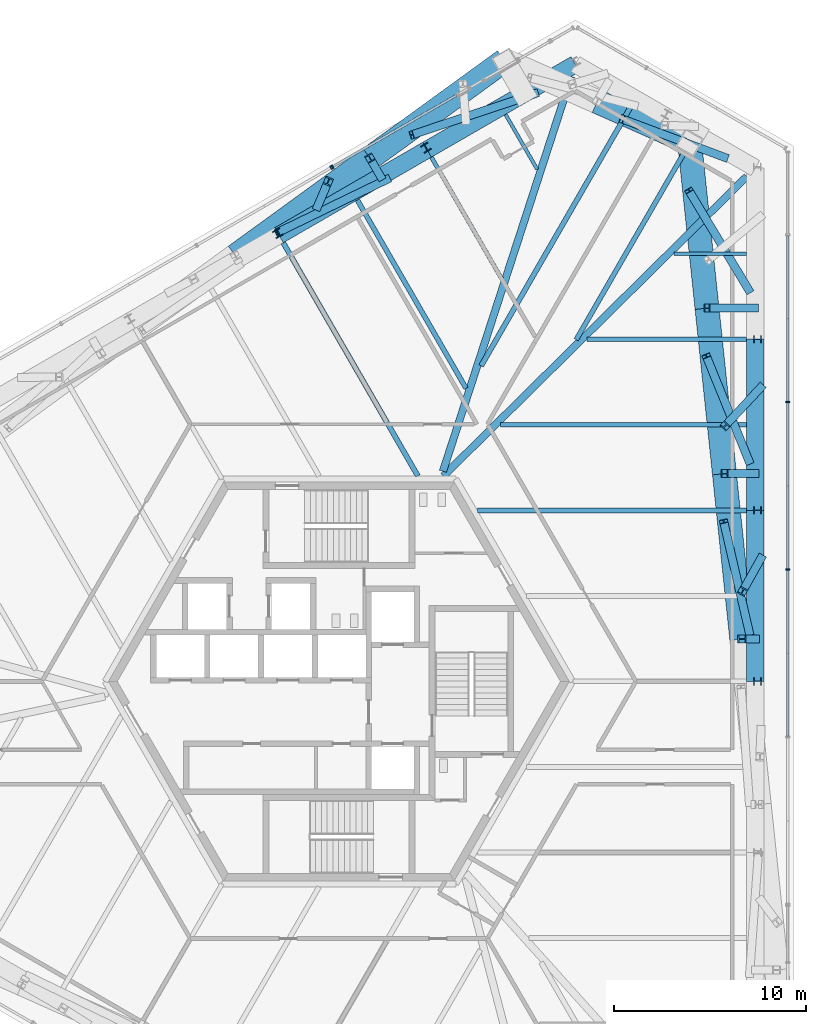
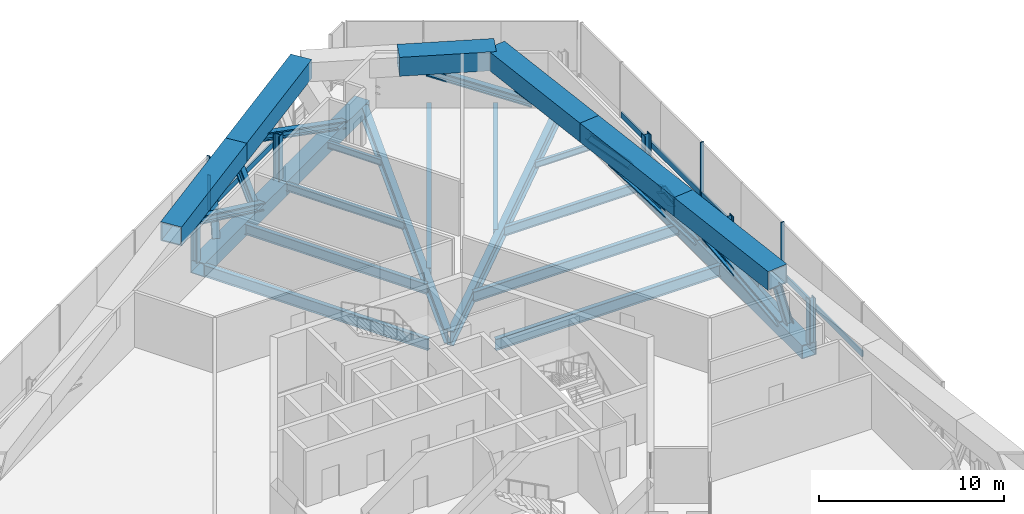
# One storey, part 7 of 23: 36 members, 12 beams, 3 elements without a shape of their own.
"""IFC4 building model written with IfcOpenShell, lengths in metres."""

import ifcopenshell
import ifcopenshell.guid

model = None  # the IFC model being written
_history = None  # IfcOwnerHistory: only IFC2X3 demands one
_inside = {}  # id of a spatial element -> (the spatial element, [elements in it])
_under = {}  # id of a project, library or spatial element -> (it, [spatial elements below it])
_declared = {}  # id of a project -> (the project, [libraries it declares])
_typed = {}  # id of a type object -> (the type object, [elements of that type])
_made_of = {}  # id of a material, layer set ... -> (it, [elements and type objects made of it])


def new_model(schema):
    """Start an empty IFC model of exactly this schema.

    Asked for "IFC4X3", IfcOpenShell would pick the latest addendum, in which some entities
    have other attributes; the version numbers below select the first issue.
    IFC2X3 requires an IfcOwnerHistory on every rooted entity: one is made here for all.
    """
    global model, _history
    if schema == "IFC4X3":
        model = ifcopenshell.file(schema_version=(4, 3, 0, 0))
    else:
        model = ifcopenshell.file(schema=schema)
    _inside.clear()
    _under.clear()
    _declared.clear()
    _typed.clear()
    _made_of.clear()
    _history = None
    if model.schema == "IFC2X3":
        org = make("IfcOrganization", Name="unknown")
        user = make(
            "IfcPersonAndOrganization",
            ThePerson=make("IfcPerson", FamilyName="unknown"),
            TheOrganization=org,
        )
        app = make(
            "IfcApplication",
            ApplicationDeveloper=org,
            Version="unknown",
            ApplicationFullName="unknown",
            ApplicationIdentifier="unknown",
        )
        _history = make(
            "IfcOwnerHistory",
            OwningUser=user,
            OwningApplication=app,
            ChangeAction="ADDED",
            CreationDate=0,
        )
    return model


def make(cls, **values):
    """One entity of the class cls with the attributes given. An attribute that is None is left unset."""
    return model.create_entity(
        cls, **{name: value for name, value in values.items() if value is not None}
    )


def rooted(cls, **values):
    """An entity with a GlobalId (a new one), such as an element, a storey or a relation."""
    return make(cls, GlobalId=ifcopenshell.guid.new(), OwnerHistory=_history, **values)


def si_unit(unit_type, name, prefix=None):
    """IfcSIUnit, for example si_unit("LENGTHUNIT", "METRE", prefix="MILLI")."""
    return make("IfcSIUnit", UnitType=unit_type, Prefix=prefix, Name=name)


def assignment(units):
    """IfcUnitAssignment: the units of a project."""
    return None if units is None else make("IfcUnitAssignment", Units=units)


def point(xyz):
    """IfcCartesianPoint."""
    return None if xyz is None else make("IfcCartesianPoint", Coordinates=xyz)


def direction(xyz):
    """IfcDirection."""
    return None if xyz is None else make("IfcDirection", DirectionRatios=xyz)


def frame(location, z_axis=None, x_axis=None):
    """IfcAxis2Placement3D, a coordinate frame: its origin and axes. An axis left out is left unset."""
    return make(
        "IfcAxis2Placement3D",
        Location=point(location),
        Axis=direction(z_axis),
        RefDirection=direction(x_axis),
    )


def frame_2d(location, x_axis=None):
    """IfcAxis2Placement2D, a coordinate frame in the plane: its origin and x axis."""
    return make(
        "IfcAxis2Placement2D", Location=point(location), RefDirection=direction(x_axis)
    )


def origin():
    """The frame at (0, 0, 0) with its axes left unset."""
    return frame((0.0, 0.0, 0.0))


def origin_2d():
    """The frame at (0, 0) in the plane with its x axis left unset."""
    return frame_2d((0.0, 0.0))


def place(relative_to, where):
    """IfcLocalPlacement: puts the frame where relative to a parent placement (None: the world)."""
    return make(
        "IfcLocalPlacement", PlacementRelTo=relative_to, RelativePlacement=where
    )


def context(
    kind, dimensions, precision=None, world=None, true_north=None, identifier=None
):
    """IfcGeometricRepresentationContext, for example the 3D "Model" context."""
    return make(
        "IfcGeometricRepresentationContext",
        ContextIdentifier=identifier,
        ContextType=kind,
        CoordinateSpaceDimension=dimensions,
        Precision=precision,
        WorldCoordinateSystem=world,
        TrueNorth=true_north,
    )


def subcontext(parent, identifier, kind, view, scale=None):
    """IfcGeometricRepresentationSubContext, for example "Body" below "Model"."""
    return make(
        "IfcGeometricRepresentationSubContext",
        ContextIdentifier=identifier,
        ContextType=kind,
        ParentContext=parent,
        TargetScale=scale,
        TargetView=view,
    )


def project(units=None, contexts=None):
    """IfcProject with its units and contexts."""
    return rooted(
        "IfcProject",
        Name="project",
        RepresentationContexts=contexts,
        UnitsInContext=assignment(units),
    )


def spatial(cls, under=None, at=None, **own):
    """A site, building, storey or space (cls), placed at a placement, below another one or the project."""
    s = rooted(cls, ObjectPlacement=at, **own)
    if under is not None:
        _under.setdefault(under.id(), (under, []))[1].append(s)
    return s


def profile(cls, at=None, kind="AREA", **sizes):
    """A parametric profile (cls). Its sizes go by their IFC names, for example OverallWidth=200.0."""
    return make(cls, ProfileType=kind, Position=at, **sizes)


def rectangle(**sizes):
    """IfcRectangleProfileDef."""
    return profile("IfcRectangleProfileDef", **sizes)


def hollow_rectangle(**sizes):
    """IfcRectangleHollowProfileDef."""
    return profile("IfcRectangleHollowProfileDef", **sizes)


def i_section(**sizes):
    """IfcIShapeProfileDef."""
    return profile("IfcIShapeProfileDef", **sizes)


def extrude(swept, where, along, depth):
    """IfcExtrudedAreaSolid: the profile swept, set in the frame where, extruded along a direction by depth."""
    return make(
        "IfcExtrudedAreaSolid",
        SweptArea=swept,
        Position=where,
        ExtrudedDirection=direction(along),
        Depth=depth,
    )


def shape(context_of_items, identifier, shape_type, items):
    """IfcShapeRepresentation: the items that make up one representation, for example the "Body"."""
    return make(
        "IfcShapeRepresentation",
        ContextOfItems=context_of_items,
        RepresentationIdentifier=identifier,
        RepresentationType=shape_type,
        Items=items,
    )


def source(mapping_origin, context_of_items, identifier, shape_type, items):
    """IfcRepresentationMap: a shape defined once, which mapped items show again and again."""
    return make(
        "IfcRepresentationMap",
        MappingOrigin=mapping_origin,
        MappedRepresentation=shape(context_of_items, identifier, shape_type, items),
    )


def transform(
    local_origin,
    x_axis=None,
    y_axis=None,
    z_axis=None,
    scale=None,
    scale2=None,
    scale3=None,
    uniform=True,
):
    """IfcCartesianTransformationOperator3D, or its non-uniform kind. x_axis, y_axis, z_axis: its Axis1, 2, 3."""
    if uniform:
        return make(
            "IfcCartesianTransformationOperator3D",
            Axis1=direction(x_axis),
            Axis2=direction(y_axis),
            LocalOrigin=point(local_origin),
            Scale=scale,
            Axis3=direction(z_axis),
        )
    return make(
        "IfcCartesianTransformationOperator3DnonUniform",
        Axis1=direction(x_axis),
        Axis2=direction(y_axis),
        LocalOrigin=point(local_origin),
        Scale=scale,
        Axis3=direction(z_axis),
        Scale2=scale2,
        Scale3=scale3,
    )


def mapped(mapping_source, mapping_target):
    """IfcMappedItem: shows the shape of a source again, moved by a transform."""
    return make(
        "IfcMappedItem", MappingSource=mapping_source, MappingTarget=mapping_target
    )


def material(Name=None, Category=None):
    """IfcMaterial."""
    return make("IfcMaterial", Name=Name, Category=Category)


def material_profile(
    of_material, cross_section, Name=None, Category=None, Priority=None
):
    """IfcMaterialProfile: a cross section and its material."""
    return make(
        "IfcMaterialProfile",
        Name=Name,
        Material=of_material,
        Profile=cross_section,
        Priority=Priority,
        Category=Category,
    )


def profile_set(profiles, Name=None, composite=None):
    """IfcMaterialProfileSet."""
    return make(
        "IfcMaterialProfileSet",
        Name=Name,
        MaterialProfiles=profiles,
        CompositeProfile=composite,
    )


def made_of(thing, what):
    """Note that an element or type object is made of a material, layer set ...; save() writes the relation."""
    if what is not None:
        _made_of.setdefault(what.id(), (what, []))[1].append(thing)
    return thing


def type_object(cls, material=None, **own):
    """A type object (cls), such as IfcWallType, which elements share."""
    return made_of(rooted(cls, **own), material)


def element(
    cls,
    number,
    at=None,
    inside=None,
    cuts=None,
    type_object=None,
    material=None,
    context=None,
    identifier="Body",
    shape_type=None,
    held_by="IfcProductDefinitionShape",
    body=None,
    shapes=None,
    **own,
):
    """One element of the class cls, such as IfcWall. Its Tag is "e" and its number.

    at: its placement. inside: the storey or other place that contains it. cuts: it is an
    opening in that element (IfcRelVoidsElement). A single representation is given by context,
    identifier, shape_type and body (its items); several are given by shapes. held_by: the class
    of the entity that holds the representations. save() writes the other relations.
    """
    e = rooted(cls, Tag="e%d" % number, ObjectPlacement=at, **own)
    if body is not None:
        shapes = [shape(context, identifier, shape_type, body)]
    if shapes is not None:
        e.Representation = make(held_by, Representations=shapes)
    if inside is not None:
        _inside.setdefault(inside.id(), (inside, []))[1].append(e)
    if cuts is not None:
        rooted(
            "IfcRelVoidsElement", RelatingBuildingElement=cuts, RelatedOpeningElement=e
        )
    if type_object is not None:
        _typed.setdefault(type_object.id(), (type_object, []))[1].append(e)
    return made_of(e, material)


def aggregate(whole, parts):
    """IfcRelAggregates: a whole, such as a stair, and the parts it consists of."""
    return rooted("IfcRelAggregates", RelatingObject=whole, RelatedObjects=parts)


def save(model, path):
    """Write the relations noted so far, then the file.

    IfcRelAggregates (storeys below a building ...), IfcRelContainedInSpatialStructure (elements
    in a storey), IfcRelDefinesByType, IfcRelAssociatesMaterial and IfcRelDeclares: one each for
    every whole, place, type object, material and project.
    """
    for whole, parts in _under.values():
        aggregate(whole, parts)
    for where, things in _inside.values():
        rooted(
            "IfcRelContainedInSpatialStructure",
            RelatedElements=things,
            RelatingStructure=where,
        )
    for kind, things in _typed.values():
        rooted("IfcRelDefinesByType", RelatedObjects=things, RelatingType=kind)
    for what, things in _made_of.values():
        rooted("IfcRelAssociatesMaterial", RelatedObjects=things, RelatingMaterial=what)
    for by, libraries in _declared.values():
        rooted("IfcRelDeclares", RelatingContext=by, RelatedDefinitions=libraries)
    model.write(path)


model = new_model("IFC4")

# Units and contexts
model_context = context("Model", 3, precision=1e-05, world=origin(), true_north=direction((0.0, 1.0)))
body_context = subcontext(model_context, "Body", "Model", "MODEL_VIEW")
ifc_project = project(units=[si_unit("LENGTHUNIT", "METRE"), si_unit("AREAUNIT", "SQUARE_METRE"), si_unit("VOLUMEUNIT", "CUBIC_METRE"), si_unit("PLANEANGLEUNIT", "RADIAN"), si_unit("MASSUNIT", "GRAM", prefix="KILO")], contexts=[model_context])

# Site, building, storey
site_placement = place(None, origin())
site = spatial("IfcSite", under=ifc_project, at=site_placement, CompositionType="ELEMENT")
building_placement = place(site_placement, origin())
building = spatial("IfcBuilding", under=site, at=building_placement, Name="Triune Harvest Tower", CompositionType="ELEMENT")
storey_placement = place(building_placement, frame((0.0, 0.0, 54.699951171875)))
storey = spatial("IfcBuildingStorey", under=building, at=storey_placement, Name="L12", CompositionType="ELEMENT", Elevation=54.699951171875)

# Beams
ifc_material_1 = material(Name="Steel ASTM A992 Gr 50", Category="steel")
ifc_material_profile_1 = material_profile(ifc_material_1, i_section(OverallWidth=0.383544921875, OverallDepth=0.9423828125, WebThickness=0.022216796875, FlangeThickness=0.039794921875, at=origin_2d()), Name="W36x232")
ifc_profile_set_1 = profile_set([ifc_material_profile_1], Name="Steel ASTM A992 Gr 50")
beam_type_1 = type_object("IfcBeamType", Name="HG-1 Hip girder W36x232", PredefinedType="BEAM", material=ifc_profile_set_1)
beam_1_placement = place(storey_placement, frame((12.10107421875, 31.500244140625, -0.72119140625), z_axis=(-0.309192301696, -0.95099953763, 0.0), x_axis=(0.95099953763, -0.309192301696, 0.0)))
element("IfcBeam", 1, at=beam_1_placement, inside=storey, type_object=beam_type_1, Name="beam/L12/HG3", PredefinedType="BEAM", context=body_context, shape_type="SweptSolid", body=[
    extrude(i_section(OverallWidth=0.383544921875, OverallDepth=0.9423828125, WebThickness=0.022216796875, FlangeThickness=0.039794921875, at=origin_2d()), origin(), (0.0, 0.0, 1.0), 21.617919921875),
])
ifc_material_2 = material(Name="Steel ASTM A992 Gr 50", Category="steel")
ifc_material_profile_2 = material_profile(ifc_material_2, i_section(OverallWidth=0.2099609375, OverallDepth=0.535888671875, WebThickness=0.010986328125, FlangeThickness=0.017333984375, at=origin_2d()), Name="W21x68")
ifc_profile_set_2 = profile_set([ifc_material_profile_2], Name="Steel ASTM A992 Gr 50")
beam_type_2 = type_object("IfcBeamType", Name="JT-2 Floor joist W21x68", PredefinedType="JOIST", material=ifc_profile_set_2)
beam_2_placement = place(storey_placement, frame((4.81787109375, 27.29541015625, -0.51806640625), z_axis=(0.499981620405, -0.866036014989, 0.0), x_axis=(0.866036014989, 0.499981620405, 0.0)))
element("IfcBeam", 2, at=beam_2_placement, inside=storey, type_object=beam_type_2, Name="beam/L12/JT15", PredefinedType="JOIST", context=body_context, shape_type="SweptSolid", body=[
    extrude(i_section(OverallWidth=0.2099609375, OverallDepth=0.535888671875, WebThickness=0.010986328125, FlangeThickness=0.017333984375, at=origin_2d()), origin(), (0.0, 0.0, 1.0), 7.311767578125),
])

# Members
ifc_material_3 = material(Name="Steel ASTM A572 Gr 50", Category="steel")
ifc_material_profile_3 = material_profile(ifc_material_3, hollow_rectangle(XDim=1.25, YDim=1.25, WallThickness=0.070068359375, at=origin_2d()), Name="Box 1250x1250x70")
ifc_profile_set_3 = profile_set([ifc_material_profile_3], Name="Steel ASTM A572 Gr 50")
member_type_1 = type_object("IfcMemberType", Name="TC-1 Belt truss chord Box 1250x1250x70", PredefinedType="CHORD", material=ifc_profile_set_3)
member_1_placement = place(storey_placement, frame((18.2607421875, 28.049072265625, 3.01513671875), z_axis=(-0.913540256506, 0.406748324819, 0.0), x_axis=(-0.406748324819, -0.913540256506, 0.0)))
element("IfcMember", 3, at=member_1_placement, inside=storey, type_object=member_type_1, Name="truss/L12/TCT7", PredefinedType="CHORD", context=body_context, shape_type="SweptSolid", body=[
    extrude(hollow_rectangle(XDim=1.25, YDim=1.25, WallThickness=0.070068359375, at=origin_2d()), origin(), (0.0, 0.0, 1.0), 5.273681640625),
])
ifc_material_4 = material(Name="Steel ASTM A992 Gr 50", Category="steel")
ifc_material_profile_4 = material_profile(ifc_material_4, i_section(OverallWidth=0.424072265625, OverallDepth=0.47509765625, WebThickness=0.0478515625, FlangeThickness=0.0771484375, at=origin_2d()), Name="W14x426")
ifc_profile_set_4 = profile_set([ifc_material_profile_4], Name="Steel ASTM A992 Gr 50")
member_type_2 = type_object("IfcMemberType", Name="TD-1 Belt truss diagonal W14x426", PredefinedType="BRACE", material=ifc_profile_set_4)
member_2_placement = place(storey_placement, frame((21.9794921875, 15.320068359375, -0.324951171875), z_axis=(-0.480801967331, -0.518105568244, 0.70738680251), x_axis=(0.733002312561, -0.680226146057, 0.0)))
element("IfcMember", 4, at=member_2_placement, inside=storey, type_object=member_type_2, Name="truss/L12/TD10", PredefinedType="BRACE", context=body_context, shape_type="SweptSolid", body=[
    extrude(i_section(OverallWidth=0.424072265625, OverallDepth=0.47509765625, WebThickness=0.0478515625, FlangeThickness=0.0771484375, at=origin_2d()), origin(), (0.0, 0.0, 1.0), 3.887451171875),
])
member_3_placement = place(storey_placement, frame((21.37939453125, 20.320068359375, -0.324951171875), z_axis=(-0.470595031664, 0.781377693493, 0.409864875641), x_axis=(-0.856636413734, -0.515920589495, 0.0)))
element("IfcMember", 5, at=member_3_placement, inside=storey, type_object=member_type_2, Name="truss/L12/TD11", PredefinedType="BRACE", context=body_context, shape_type="SweptSolid", body=[
    extrude(i_section(OverallWidth=0.424072265625, OverallDepth=0.47509765625, WebThickness=0.0478515625, FlangeThickness=0.0771484375, at=origin_2d()), origin(), (0.0, 0.0, 1.0), 6.70947265625),
])

# Beams
shared_shape_1 = source(origin(), body_context, "Body", "SweptSolid", [
    extrude(i_section(OverallWidth=0.383544921875, OverallDepth=0.9423828125, WebThickness=0.022216796875, FlangeThickness=0.039794921875, at=origin_2d()), origin(), (0.0, 0.0, 1.0), 22.1865234375),
])
beam_3_placement = place(storey_placement, frame((21.2294921875, 26.28564453125, -0.72119140625), z_axis=(-0.71156577815, -0.702619486896, 0.0), x_axis=(0.702619486896, -0.71156577815, 0.0)))
element("IfcBeam", 6, at=beam_3_placement, inside=storey, type_object=beam_type_1, Name="beam/L12/HG2", PredefinedType="BEAM", context=body_context, shape_type="MappedRepresentation", body=[
    mapped(shared_shape_1, transform((0.0, 0.0, 0.0), scale=1.0)),
])
ifc_material_5 = material(Name="Steel ASTM A992 Gr 50", Category="steel")
ifc_material_profile_5 = material_profile(ifc_material_5, i_section(OverallWidth=0.180908203125, OverallDepth=0.41650390625, WebThickness=0.010986328125, FlangeThickness=0.01806640625, at=origin_2d()), Name="W16x57")
ifc_profile_set_5 = profile_set([ifc_material_profile_5], Name="Steel ASTM A992 Gr 50")
beam_type_3 = type_object("IfcBeamType", Name="JT-1 Floor joist W16x57", PredefinedType="JOIST", material=ifc_profile_set_5)
shared_shape_2 = source(origin(), body_context, "Body", "SweptSolid", [
    extrude(i_section(OverallWidth=0.180908203125, OverallDepth=0.41650390625, WebThickness=0.010986328125, FlangeThickness=0.01806640625, at=origin_2d()), origin(), (0.0, 0.0, 1.0), 3.3017578125),
])
beam_4_placement = place(storey_placement, frame((8.676025390625, 29.522705078125, -0.458251953125), z_axis=(0.500004084281, -0.866023045711, 0.0), x_axis=(0.866023045711, 0.500004084281, 0.0)))
element("IfcBeam", 7, at=beam_4_placement, inside=storey, type_object=beam_type_3, Name="beam/L12/JT14", PredefinedType="JOIST", context=body_context, shape_type="MappedRepresentation", body=[
    mapped(shared_shape_2, transform((0.0, 0.0, 0.0), scale=1.0)),
])
ifc_material_6 = material(Name="Steel ASTM A992 Gr 50", Category="steel")
ifc_material_profile_6 = material_profile(ifc_material_6, i_section(OverallWidth=0.2666015625, OverallDepth=0.7568359375, WebThickness=0.013916015625, FlangeThickness=0.019287109375, at=origin_2d()), Name="W30x108")
ifc_profile_set_6 = profile_set([ifc_material_profile_6], Name="Steel ASTM A992 Gr 50")
beam_type_4 = type_object("IfcBeamType", Name="JT-5 Floor joist W30x108", PredefinedType="JOIST", material=ifc_profile_set_6)
shared_shape_3 = source(origin(), body_context, "Body", "SweptSolid", [
    extrude(i_section(OverallWidth=0.2666015625, OverallDepth=0.7568359375, WebThickness=0.013916015625, FlangeThickness=0.019287109375, at=origin_2d()), origin(), (0.0, 0.0, 1.0), 14.021728515625),
])
for number, where, z_axis, x_axis, name in (
    (8, (21.2294921875, 8.909912109375, -0.62841796875), (-1.0, 0.0, 0.0), (0.0, -1.0, 0.0), "beam/L12/JT8"),
    (9, (-2.8984375, 22.84033203125, -0.62841796875), (0.499989226071, -0.866031624026, 0.0), (0.866031624026, 0.499989226071, 0.0), "beam/L12/JT17"),
):
    element("IfcBeam", number, at=place(storey_placement, frame(where, z_axis=z_axis, x_axis=x_axis)), inside=storey, type_object=beam_type_4, Name=name, PredefinedType="JOIST", context=body_context, shape_type="MappedRepresentation", body=[
        mapped(shared_shape_3, transform((0.0, 0.0, 0.0), scale=1.0)),
    ])
ifc_material_7 = material(Name="Steel ASTM A992 Gr 50", Category="steel")
ifc_material_profile_7 = material_profile(ifc_material_7, i_section(OverallWidth=0.253662109375, OverallDepth=0.683349609375, WebThickness=0.012451171875, FlangeThickness=0.01904296875, at=origin_2d()), Name="W27x94")
ifc_profile_set_7 = profile_set([ifc_material_profile_7], Name="Steel ASTM A992 Gr 50")
beam_type_5 = type_object("IfcBeamType", Name="JT-4 Floor joist W27x94", PredefinedType="JOIST", material=ifc_profile_set_7)
shared_shape_4 = source(origin(), body_context, "Body", "SweptSolid", [
    extrude(i_section(OverallWidth=0.253662109375, OverallDepth=0.683349609375, WebThickness=0.012451171875, FlangeThickness=0.01904296875, at=origin_2d()), origin(), (0.0, 0.0, 1.0), 12.8125),
])
beam_5_placement = place(storey_placement, frame((21.2294921875, 13.364990234375, -0.591552734375), z_axis=(-1.0, 0.0, 0.0), x_axis=(0.0, -1.0, 0.0)))
element("IfcBeam", 10, at=beam_5_placement, inside=storey, type_object=beam_type_5, Name="beam/L12/JT9", PredefinedType="JOIST", context=body_context, shape_type="MappedRepresentation", body=[
    mapped(shared_shape_4, transform((0.0, 0.0, 0.0), scale=1.0)),
])
ifc_material_8 = material(Name="Steel ASTM A992 Gr 50", Category="steel")
ifc_material_profile_8 = material_profile(ifc_material_8, i_section(OverallWidth=0.22900390625, OverallDepth=0.612060546875, WebThickness=0.011962890625, FlangeThickness=0.01953125, at=origin_2d()), Name="W24x84")
ifc_profile_set_8 = profile_set([ifc_material_profile_8], Name="Steel ASTM A992 Gr 50")
beam_type_6 = type_object("IfcBeamType", Name="JT-3 Floor joist W24x84", PredefinedType="JOIST", material=ifc_profile_set_8)
shared_shape_5 = source(origin(), body_context, "Body", "SweptSolid", [
    extrude(i_section(OverallWidth=0.22900390625, OverallDepth=0.612060546875, WebThickness=0.011962890625, FlangeThickness=0.01953125, at=origin_2d()), origin(), (0.0, 0.0, 1.0), 8.300537109375),
])
beam_6_placement = place(storey_placement, frame((21.2294921875, 17.820068359375, -0.55615234375), z_axis=(-1.0, 0.0, 0.0), x_axis=(0.0, -1.0, 0.0)))
element("IfcBeam", 11, at=beam_6_placement, inside=storey, type_object=beam_type_6, Name="beam/L12/JT10", PredefinedType="JOIST", context=body_context, shape_type="MappedRepresentation", body=[
    mapped(shared_shape_5, transform((0.0, 0.0, 0.0), scale=1.0)),
])
shared_shape_6 = source(origin(), body_context, "Body", "SweptSolid", [
    extrude(i_section(OverallWidth=0.180908203125, OverallDepth=0.41650390625, WebThickness=0.010986328125, FlangeThickness=0.01806640625, at=origin_2d()), origin(), (0.0, 0.0, 1.0), 3.788818359375),
])
beam_7_placement = place(storey_placement, frame((21.2294921875, 22.27490234375, -0.458251953125), z_axis=(-1.0, 0.0, 0.0), x_axis=(0.0, -1.0, 0.0)))
element("IfcBeam", 12, at=beam_7_placement, inside=storey, type_object=beam_type_3, Name="beam/L12/JT11", PredefinedType="JOIST", context=body_context, shape_type="MappedRepresentation", body=[
    mapped(shared_shape_6, transform((0.0, 0.0, 0.0), scale=1.0)),
])
shared_shape_7 = source(origin(), body_context, "Body", "SweptSolid", [
    extrude(i_section(OverallWidth=0.253662109375, OverallDepth=0.683349609375, WebThickness=0.012451171875, FlangeThickness=0.01904296875, at=origin_2d()), origin(), (0.0, 0.0, 1.0), 11.953125),
])
beam_8_placement = place(storey_placement, frame((18.3310546875, 28.1435546875, -0.591552734375), z_axis=(-0.499996495671, -0.866027427, 0.0), x_axis=(0.866027427, -0.499996495671, 0.0)))
element("IfcBeam", 13, at=beam_8_placement, inside=storey, type_object=beam_type_5, Name="beam/L12/JT12", PredefinedType="JOIST", context=body_context, shape_type="MappedRepresentation", body=[
    mapped(shared_shape_7, transform((0.0, 0.0, 0.0), scale=1.0)),
])
shared_shape_8 = source(origin(), body_context, "Body", "SweptSolid", [
    extrude(i_section(OverallWidth=0.2666015625, OverallDepth=0.7568359375, WebThickness=0.013916015625, FlangeThickness=0.019287109375, at=origin_2d()), origin(), (0.0, 0.0, 1.0), 15.610107421875),
])
beam_9_placement = place(storey_placement, frame((15.20751953125, 29.947021484375, -0.62841796875), z_axis=(-0.49999276899, -0.86602957857, 0.0), x_axis=(0.86602957857, -0.49999276899, 0.0)))
element("IfcBeam", 14, at=beam_9_placement, inside=storey, type_object=beam_type_4, Name="beam/L12/JT13", PredefinedType="JOIST", context=body_context, shape_type="MappedRepresentation", body=[
    mapped(shared_shape_8, transform((0.0, 0.0, 0.0), scale=1.0)),
])
shared_shape_9 = source(origin(), body_context, "Body", "SweptSolid", [
    extrude(i_section(OverallWidth=0.253662109375, OverallDepth=0.683349609375, WebThickness=0.012451171875, FlangeThickness=0.01904296875, at=origin_2d()), origin(), (0.0, 0.0, 1.0), 11.321533203125),
])
beam_10_placement = place(storey_placement, frame((0.959716796875, 25.06787109375, -0.591552734375), z_axis=(0.499993743963, -0.866029015679, 0.0), x_axis=(0.866029015679, 0.499993743963, 0.0)))
element("IfcBeam", 15, at=beam_10_placement, inside=storey, type_object=beam_type_5, Name="beam/L12/JT16", PredefinedType="JOIST", context=body_context, shape_type="MappedRepresentation", body=[
    mapped(shared_shape_9, transform((0.0, 0.0, 0.0), scale=1.0)),
])

# Members
ifc_material_9 = material(Name="Steel ASTM A992 Gr 50", Category="steel")
ifc_material_profile_9 = material_profile(ifc_material_9, i_section(OverallWidth=0.40380859375, OverallDepth=0.406494140625, WebThickness=0.027099609375, FlangeThickness=0.043701171875, at=origin_2d()), Name="W14x233")
ifc_profile_set_9 = profile_set([ifc_material_profile_9], Name="Steel ASTM A992 Gr 50")
member_type_3 = type_object("IfcMemberType", Name="WP-1 Roof edge post W14x233", PredefinedType="POST", material=ifc_profile_set_9)
shared_shape_10 = source(origin(), body_context, "Body", "SweptSolid", [
    extrude(i_section(OverallWidth=0.40380859375, OverallDepth=0.406494140625, WebThickness=0.027099609375, FlangeThickness=0.043701171875, at=origin_2d()), origin(), (0.0, 0.0, 1.0), 2.9755859375),
])
for number, where, z_axis, x_axis, name in (
    (16, (21.799560546875, 0.0, -0.25), (0.0, 0.0, 1.0), (0.0, 1.0, 0.0), "post/L12/W3"),
    (17, (21.799560546875, 8.909912109375, -0.25), (0.0, 0.0, 1.0), (0.0, 1.0, 0.0), "post/L12/W4"),
    (18, (21.799560546875, 17.820068359375, -0.25), (0.0, 0.0, 1.0), (0.0, 1.0, 0.0), "post/L12/W5"),
    (19, (4.53271484375, 27.788818359375, -0.25), (0.0, 0.0, 1.0), (-0.866025403784, -0.5, 0.0), "post/L12/W9"),
    (20, (-3.18359375, 23.333984375, -0.25), (0.0, 0.0, 1.0), (-0.866025403784, -0.5, 0.0), "post/L12/W10"),
):
    element("IfcMember", number, at=place(storey_placement, frame(where, z_axis=z_axis, x_axis=x_axis)), inside=storey, type_object=member_type_3, Name=name, PredefinedType="POST", context=body_context, shape_type="MappedRepresentation", body=[
        mapped(shared_shape_10, transform((0.0, 0.0, 0.0), scale=1.0)),
    ])
ifc_material_10 = material(Name="Steel ASTM A572 Gr 50", Category="steel")
ifc_material_profile_10 = material_profile(ifc_material_10, hollow_rectangle(XDim=0.89990234375, YDim=0.89990234375, WallThickness=0.050048828125, at=origin_2d()), Name="Box 900x900x50")
ifc_profile_set_10 = profile_set([ifc_material_profile_10], Name="Steel ASTM A572 Gr 50")
member_type_4 = type_object("IfcMemberType", Name="TC-2 Belt truss chord Box 900x900x50", PredefinedType="CHORD", material=ifc_profile_set_10)
shared_shape_11 = source(origin(), body_context, "Body", "SweptSolid", [
    extrude(hollow_rectangle(XDim=0.89990234375, YDim=0.89990234375, WallThickness=0.050048828125, at=origin_2d()), origin(), (0.0, 0.0, 1.0), 8.909912109375),
])
for number, where, z_axis, x_axis, name in (
    (21, (21.679443359375, 0.0, -0.699951171875), (0.0, 1.0, 0.0), (-1.0, 0.0, 0.0), "truss/L12/TCB4"),
    (22, (12.30908203125, 32.139892578125, -0.699951171875), (-0.866034096015, -0.499984944314, 0.0), (0.499984944314, -0.866034096015, 0.0), "truss/L12/TCB9"),
):
    element("IfcMember", number, at=place(storey_placement, frame(where, z_axis=z_axis, x_axis=x_axis)), inside=storey, type_object=member_type_4, Name=name, PredefinedType="CHORD", context=body_context, shape_type="MappedRepresentation", body=[
        mapped(shared_shape_11, transform((0.0, 0.0, 0.0), scale=1.0)),
    ])
shared_shape_12 = source(origin(), body_context, "Body", "SweptSolid", [
    extrude(hollow_rectangle(XDim=0.89990234375, YDim=0.89990234375, WallThickness=0.050048828125, at=origin_2d()), origin(), (0.0, 0.0, 1.0), 8.91015625),
])
for number, where, z_axis, x_axis, name in (
    (23, (21.679443359375, 8.909912109375, -0.699951171875), (0.0, 1.0, 0.0), (-1.0, 0.0, 0.0), "truss/L12/TCB5"),
    (24, (4.5927734375, 27.68505859375, -0.699951171875), (-0.866022231217, -0.500005495009, 0.0), (0.500005495009, -0.866022231217, 0.0), "truss/L12/TCB10"),
):
    element("IfcMember", number, at=place(storey_placement, frame(where, z_axis=z_axis, x_axis=x_axis)), inside=storey, type_object=member_type_4, Name=name, PredefinedType="CHORD", context=body_context, shape_type="MappedRepresentation", body=[
        mapped(shared_shape_12, transform((0.0, 0.0, 0.0), scale=1.0)),
    ])
shared_shape_13 = source(origin(), body_context, "Body", "SweptSolid", [
    extrude(hollow_rectangle(XDim=1.25, YDim=1.25, WallThickness=0.070068359375, at=origin_2d()), origin(), (0.0, 0.0, 1.0), 8.662109375),
])
for number, where, z_axis, x_axis, name in (
    (25, (20.97705078125, 2.204833984375, 3.01513671875), (-0.104536601969, 0.994521039923, 0.0), (-0.994521039923, -0.104536601969, 0.0), "truss/L12/TCT4"),
    (26, (20.071533203125, 10.819580078125, 3.01513671875), (-0.104536601969, 0.994521039923, 0.0), (-0.994521039923, -0.104536601969, 0.0), "truss/L12/TCT5"),
    (27, (19.166015625, 19.434326171875, 3.01513671875), (-0.104508725265, 0.994523969718, 0.0), (-0.994523969718, -0.104508725265, 0.0), "truss/L12/TCT6"),
    (28, (8.625732421875, 32.3388671875, 3.01513671875), (-0.809012661611, -0.587791215785, 0.0), (0.587791215785, -0.809012661611, 0.0), "truss/L12/TCT9"),
    (29, (1.617919921875, 27.247314453125, 3.01513671875), (-0.809012661611, -0.587791215785, 0.0), (0.587791215785, -0.809012661611, 0.0), "truss/L12/TCT10"),
):
    element("IfcMember", number, at=place(storey_placement, frame(where, z_axis=z_axis, x_axis=x_axis)), inside=storey, type_object=member_type_1, Name=name, PredefinedType="CHORD", context=body_context, shape_type="MappedRepresentation", body=[
        mapped(shared_shape_13, transform((0.0, 0.0, 0.0), scale=1.0)),
    ])
ifc_material_11 = material(Name="Steel ASTM A992 Gr 50", Category="steel")
ifc_material_profile_11 = material_profile(ifc_material_11, i_section(OverallWidth=0.411376953125, OverallDepth=0.434326171875, WebThickness=0.035888671875, FlangeThickness=0.057373046875, at=origin_2d()), Name="W14x311")
ifc_profile_set_11 = profile_set([ifc_material_profile_11], Name="Steel ASTM A992 Gr 50")
member_type_5 = type_object("IfcMemberType", Name="TV-1 Belt truss strut W14x311", PredefinedType="STRUT", material=ifc_profile_set_11)
shared_shape_14 = source(origin(), body_context, "Body", "SweptSolid", [
    extrude(i_section(OverallWidth=0.411376953125, OverallDepth=0.434326171875, WebThickness=0.035888671875, FlangeThickness=0.057373046875, at=origin_2d()), origin(), (0.0, 0.0, 1.0), 2.918701171875),
])
member_4_placement = place(storey_placement, frame((2.172119140625, 26.287353515625, -0.27490234375), z_axis=(-0.18988337521, 0.328908119527, 0.925074998434), x_axis=(-0.866038875684, -0.49997666526, 0.0)))
element("IfcMember", 30, at=member_4_placement, inside=storey, type_object=member_type_5, Name="truss/L12/TS10", PredefinedType="STRUT", context=body_context, shape_type="MappedRepresentation", body=[
    mapped(shared_shape_14, transform((0.0, 0.0, 0.0), scale=1.0)),
])
shared_shape_15 = source(origin(), body_context, "Body", "SweptSolid", [
    extrude(i_section(OverallWidth=0.411376953125, OverallDepth=0.434326171875, WebThickness=0.035888671875, FlangeThickness=0.057373046875, at=origin_2d()), origin(), (0.0, 0.0, 1.0), 2.789794921875),
])
member_5_placement = place(storey_placement, frame((21.679443359375, 2.204833984375, -0.27490234375), z_axis=(-0.251769919628, 0.0, 0.967787118932), x_axis=(0.0, -1.0, 0.0)))
element("IfcMember", 31, at=member_5_placement, inside=storey, type_object=member_type_5, Name="truss/L12/TS4", PredefinedType="STRUT", context=body_context, shape_type="MappedRepresentation", body=[
    mapped(shared_shape_15, transform((0.0, 0.0, 0.0), scale=1.0)),
])
shared_shape_16 = source(origin(), body_context, "Body", "SweptSolid", [
    extrude(i_section(OverallWidth=0.411376953125, OverallDepth=0.434326171875, WebThickness=0.035888671875, FlangeThickness=0.057373046875, at=origin_2d()), origin(), (0.0, 0.0, 1.0), 3.142578125),
])
member_6_placement = place(storey_placement, frame((21.679443359375, 10.819580078125, -0.27490234375), z_axis=(-0.511670968739, 0.0, 0.85918148243), x_axis=(0.0, -1.0, 0.0)))
element("IfcMember", 32, at=member_6_placement, inside=storey, type_object=member_type_5, Name="truss/L12/TS5", PredefinedType="STRUT", context=body_context, shape_type="MappedRepresentation", body=[
    mapped(shared_shape_16, transform((0.0, 0.0, 0.0), scale=1.0)),
])
shared_shape_17 = source(origin(), body_context, "Body", "SweptSolid", [
    extrude(i_section(OverallWidth=0.411376953125, OverallDepth=0.434326171875, WebThickness=0.035888671875, FlangeThickness=0.057373046875, at=origin_2d()), origin(), (0.0, 0.0, 1.0), 3.688720703125),
])
member_7_placement = place(storey_placement, frame((21.679443359375, 19.434326171875, -0.27490234375), z_axis=(-0.681372070749, 0.0, 0.731937224906), x_axis=(0.0, -1.0, 0.0)))
element("IfcMember", 33, at=member_7_placement, inside=storey, type_object=member_type_5, Name="truss/L12/TS6", PredefinedType="STRUT", context=body_context, shape_type="MappedRepresentation", body=[
    mapped(shared_shape_17, transform((0.0, 0.0, 0.0), scale=1.0)),
])
shared_shape_18 = source(origin(), body_context, "Body", "SweptSolid", [
    extrude(i_section(OverallWidth=0.424072265625, OverallDepth=0.47509765625, WebThickness=0.0478515625, FlangeThickness=0.0771484375, at=origin_2d()), origin(), (0.0, 0.0, 1.0), 7.38818359375),
])
member_8_placement = place(storey_placement, frame((10.2939453125, 30.630126953125, -0.324951171875), z_axis=(-0.880292846775, -0.29416895987, 0.372221878677), x_axis=(0.316943308543, -0.948444483968, 0.0)))
element("IfcMember", 34, at=member_8_placement, inside=storey, type_object=member_type_2, Name="truss/L12/TD17", PredefinedType="BRACE", context=body_context, shape_type="MappedRepresentation", body=[
    mapped(shared_shape_18, transform((0.0, 0.0, 0.0), scale=1.0)),
])
shared_shape_19 = source(origin(), body_context, "Body", "SweptSolid", [
    extrude(i_section(OverallWidth=0.424072265625, OverallDepth=0.47509765625, WebThickness=0.0478515625, FlangeThickness=0.0771484375, at=origin_2d()), origin(), (0.0, 0.0, 1.0), 6.588134765625),
])
member_9_placement = place(storey_placement, frame((21.37939453125, 2.5, -0.324951171875), z_axis=(-0.204375866669, 0.885431111934, 0.417423347626), x_axis=(-0.974380197408, -0.224907160621, 0.0)))
element("IfcMember", 35, at=member_9_placement, inside=storey, type_object=member_type_2, Name="truss/L12/TD7", PredefinedType="BRACE", context=body_context, shape_type="MappedRepresentation", body=[
    mapped(shared_shape_19, transform((0.0, 0.0, 0.0), scale=1.0)),
])
shared_shape_20 = source(origin(), body_context, "Body", "SweptSolid", [
    extrude(i_section(OverallWidth=0.424072265625, OverallDepth=0.47509765625, WebThickness=0.0478515625, FlangeThickness=0.0771484375, at=origin_2d()), origin(), (0.0, 0.0, 1.0), 3.383056640625),
])
member_10_placement = place(storey_placement, frame((21.9794921875, 6.409912109375, -0.324951171875), z_axis=(-0.284903068186, -0.508033839927, 0.812854143883), x_axis=(0.872210081159, -0.489131448923, 0.0)))
element("IfcMember", 36, at=member_10_placement, inside=storey, type_object=member_type_2, Name="truss/L12/TD8", PredefinedType="BRACE", context=body_context, shape_type="MappedRepresentation", body=[
    mapped(shared_shape_20, transform((0.0, 0.0, 0.0), scale=1.0)),
])
shared_shape_21 = source(origin(), body_context, "Body", "SweptSolid", [
    extrude(i_section(OverallWidth=0.424072265625, OverallDepth=0.47509765625, WebThickness=0.0478515625, FlangeThickness=0.0771484375, at=origin_2d()), origin(), (0.0, 0.0, 1.0), 6.58056640625),
])
member_11_placement = place(storey_placement, frame((21.37939453125, 11.409912109375, -0.324951171875), z_axis=(-0.342211336898, 0.841578704054, 0.417895544104), x_axis=(-0.926343709092, -0.376679349879, 0.0)))
element("IfcMember", 37, at=member_11_placement, inside=storey, type_object=member_type_2, Name="truss/L12/TD9", PredefinedType="BRACE", context=body_context, shape_type="MappedRepresentation", body=[
    mapped(shared_shape_21, transform((0.0, 0.0, 0.0), scale=1.0)),
])
shared_shape_22 = source(origin(), body_context, "Body", "SweptSolid", [
    extrude(i_section(OverallWidth=0.424072265625, OverallDepth=0.47509765625, WebThickness=0.0478515625, FlangeThickness=0.0771484375, at=origin_2d()), origin(), (0.0, 0.0, 1.0), 6.408447265625),
])
member_12_placement = place(storey_placement, frame((20.159423828125, 27.26123046875, -0.324951171875), z_axis=(-0.845904244217, 0.31669978302, 0.429123824845), x_axis=(-0.350624191224, -0.936516244669, 0.0)))
element("IfcMember", 38, at=member_12_placement, inside=storey, type_object=member_type_2, Name="truss/L12/TD13", PredefinedType="BRACE", context=body_context, shape_type="MappedRepresentation", body=[
    mapped(shared_shape_22, transform((0.0, 0.0, 0.0), scale=1.0)),
])
shared_shape_23 = source(origin(), body_context, "Body", "SweptSolid", [
    extrude(i_section(OverallWidth=0.424072265625, OverallDepth=0.47509765625, WebThickness=0.0478515625, FlangeThickness=0.0771484375, at=origin_2d()), origin(), (0.0, 0.0, 1.0), 7.0029296875),
])
member_13_placement = place(storey_placement, frame((2.57763671875, 26.17529296875, -0.324951171875), z_axis=(-0.82753044563, -0.401232164922, 0.392690859821), x_axis=(0.436278156884, -0.899811852459, 0.0)))
element("IfcMember", 39, at=member_13_placement, inside=storey, type_object=member_type_2, Name="truss/L12/TD19", PredefinedType="BRACE", context=body_context, shape_type="MappedRepresentation", body=[
    mapped(shared_shape_23, transform((0.0, 0.0, 0.0), scale=1.0)),
])
shared_shape_24 = source(origin(), body_context, "Body", "SweptSolid", [
    extrude(i_section(OverallWidth=0.424072265625, OverallDepth=0.47509765625, WebThickness=0.0478515625, FlangeThickness=0.0771484375, at=origin_2d()), origin(), (0.0, 0.0, 1.0), 3.0908203125),
])
member_14_placement = place(storey_placement, frame((-1.1083984375, 24.73974609375, -0.324951171875), z_axis=(0.179143691477, 0.419897647218, 0.889715405995), x_axis=(-0.919788160365, 0.392415264806, 0.0)))
element("IfcMember", 40, at=member_14_placement, inside=storey, type_object=member_type_2, Name="truss/L12/TD20", PredefinedType="BRACE", context=body_context, shape_type="MappedRepresentation", body=[
    mapped(shared_shape_24, transform((0.0, 0.0, 0.0), scale=1.0)),
])

# Curtain wall, members
ifc_material_12 = material(Name="Aluminium bronze anodised", Category="aluminium")
curtain_wall_type = type_object("IfcCurtainWallType", Name="CW-5 Plant louvre wall", PredefinedType="NOTDEFINED", material=ifc_material_12)
curtain_wall_1_placement = place(storey_placement, origin())
curtain_wall_1 = element("IfcCurtainWall", 41, at=curtain_wall_1_placement, inside=storey, type_object=curtain_wall_type, Name="CW-5 B1-F1 L12 run 601")
ifc_material_13 = material(Name="Aluminium bronze anodised", Category="aluminium")
ifc_material_profile_12 = material_profile(ifc_material_13, rectangle(XDim=0.199951171875, YDim=0.080078125, at=origin_2d()), Name="MU-5 mullion 80 x 200")
ifc_profile_set_12 = profile_set([ifc_material_profile_12], Name="Aluminium bronze anodised")
member_type_6 = type_object("IfcMemberType", Name="MU-5 mullion 80 x 200", PredefinedType="MULLION", material=ifc_profile_set_12)
shared_shape_25 = source(origin(), body_context, "Body", "SweptSolid", [
    extrude(rectangle(XDim=0.199951171875, YDim=0.080078125, at=origin_2d()), origin(), (0.0, 0.0, 1.0), 3.64013671875),
])
member_15_placement = place(storey_placement, frame((23.371337890625, 5.8193359375, 0.0), z_axis=(0.0, 0.0, 1.0), x_axis=(-1.0, 0.0, 0.0)))
member_15 = element("IfcMember", 42, at=member_15_placement, type_object=member_type_6, Name="CW-5 mullion B1-F1 601.5", PredefinedType="MULLION", context=body_context, shape_type="MappedRepresentation", body=[
    mapped(shared_shape_25, transform((0.0, 0.0, 0.0), scale=1.0)),
])
member_16_placement = place(storey_placement, frame((23.371337890625, 14.538330078125, 0.0), z_axis=(0.0, 0.0, 1.0), x_axis=(-1.0, 0.0, 0.0)))
member_16 = element("IfcMember", 43, at=member_16_placement, type_object=member_type_6, Name="CW-5 mullion B1-F1 601.7", PredefinedType="MULLION", context=body_context, shape_type="MappedRepresentation", body=[
    mapped(shared_shape_25, transform((0.0, 0.0, 0.0), scale=1.0)),
])

# Curtain wall, member
curtain_wall_2_placement = place(storey_placement, origin())
curtain_wall_2 = element("IfcCurtainWall", 44, at=curtain_wall_2_placement, inside=storey, type_object=curtain_wall_type, Name="CW-5 B1-F3 L12 run 601")
member_17_placement = place(storey_placement, frame((-0.400146484375, 26.755859375, 0.0), z_axis=(0.0, 0.0, 1.0), x_axis=(0.499999093644, -0.866025927069, 0.0)))
member_17 = element("IfcMember", 45, at=member_17_placement, type_object=member_type_6, Name="CW-5 mullion B1-F3 601.1", PredefinedType="MULLION", context=body_context, shape_type="MappedRepresentation", body=[
    mapped(shared_shape_25, transform((0.0, 0.0, 0.0), scale=1.0)),
])
aggregate(curtain_wall_2, [member_17])

curtain_wall_3_placement = place(storey_placement, origin())
curtain_wall_3 = element("IfcCurtainWall", 46, at=curtain_wall_3_placement, inside=storey, type_object=curtain_wall_type, Name="CW-5 B1-F3 L12 run 501")
shared_shape_26 = source(origin(), body_context, "Body", "SweptSolid", [
    extrude(rectangle(XDim=0.199951171875, YDim=0.080078125, at=origin_2d()), origin(), (0.0, 0.0, 1.0), 2.330078125),
])
member_18_placement = place(storey_placement, frame((-0.330810546875, 26.7958984375, 0.0), z_axis=(0.0, 0.0, 1.0), x_axis=(0.500002158495, -0.866024157573, 0.0)))
member_18 = element("IfcMember", 47, at=member_18_placement, type_object=member_type_6, Name="CW-5 mullion B1-F3 501.3", PredefinedType="MULLION", context=body_context, shape_type="MappedRepresentation", body=[
    mapped(shared_shape_26, transform((0.0, 0.0, 0.0), scale=1.0)),
])

# Member
ifc_material_14 = material(Name="Aluminium bronze anodised", Category="aluminium")
ifc_material_profile_13 = material_profile(ifc_material_14, rectangle(XDim=0.10009765625, YDim=0.39990234375, at=origin_2d()), Name="TR-5 transom 100 x 400")
ifc_profile_set_13 = profile_set([ifc_material_profile_13], Name="Aluminium bronze anodised")
member_type_7 = type_object("IfcMemberType", Name="TR-5 transom 100 x 400", PredefinedType="USERDEFINED", material=ifc_profile_set_13)
shared_shape_27 = source(origin(), body_context, "Body", "SweptSolid", [
    extrude(rectangle(XDim=0.10009765625, YDim=0.39990234375, at=origin_2d()), origin(), (0.0, 0.0, 1.0), 8.638916015625),
])
member_19_placement = place(storey_placement, frame((23.371337890625, -2.859619140625, 0.199951171875), z_axis=(0.0, 1.0, 0.0), x_axis=(-1.0, 0.0, 0.0)))
member_19 = element("IfcMember", 48, at=member_19_placement, type_object=member_type_7, Name="CW-5 transom B1-F1 601.2", ObjectType="TRANSOM", PredefinedType="USERDEFINED", context=body_context, shape_type="MappedRepresentation", body=[
    mapped(shared_shape_27, transform((0.0, 0.0, 0.0), scale=1.0)),
])

member_20_placement = place(storey_placement, frame((23.371337890625, 5.859375, 0.199951171875), z_axis=(0.0, 1.0, 0.0), x_axis=(-1.0, 0.0, 0.0)))
member_20 = element("IfcMember", 49, at=member_20_placement, type_object=member_type_7, Name="CW-5 transom B1-F1 601.3", ObjectType="TRANSOM", PredefinedType="USERDEFINED", context=body_context, shape_type="MappedRepresentation", body=[
    mapped(shared_shape_27, transform((0.0, 0.0, 0.0), scale=1.0)),
])

member_21_placement = place(storey_placement, frame((23.371337890625, 14.578369140625, 0.199951171875), z_axis=(0.0, 1.0, 0.0), x_axis=(-1.0, 0.0, 0.0)))
member_21 = element("IfcMember", 50, at=member_21_placement, type_object=member_type_7, Name="CW-5 transom B1-F1 601.4", ObjectType="TRANSOM", PredefinedType="USERDEFINED", context=body_context, shape_type="MappedRepresentation", body=[
    mapped(shared_shape_27, transform((0.0, 0.0, 0.0), scale=1.0)),
])

aggregate(curtain_wall_1, [member_15, member_16, member_19, member_20, member_21])

shared_shape_28 = source(origin(), body_context, "Body", "SweptSolid", [
    extrude(rectangle(XDim=0.10009765625, YDim=0.39990234375, at=origin_2d()), origin(), (0.0, 0.0, 1.0), 7.4013671875),
])
member_22_placement = place(storey_placement, frame((6.11376953125, 30.5166015625, 0.199951171875), z_axis=(-0.866030135978, -0.49999180351, 0.0), x_axis=(0.49999180351, -0.866030135978, 0.0)))
member_22 = element("IfcMember", 51, at=member_22_placement, type_object=member_type_7, Name="CW-5 transom B1-F3 501.1", ObjectType="TRANSOM", PredefinedType="USERDEFINED", context=body_context, shape_type="MappedRepresentation", body=[
    mapped(shared_shape_28, transform((0.0, 0.0, 0.0), scale=1.0)),
])

aggregate(curtain_wall_3, [member_18, member_22])

save(model, "model.ifc")
